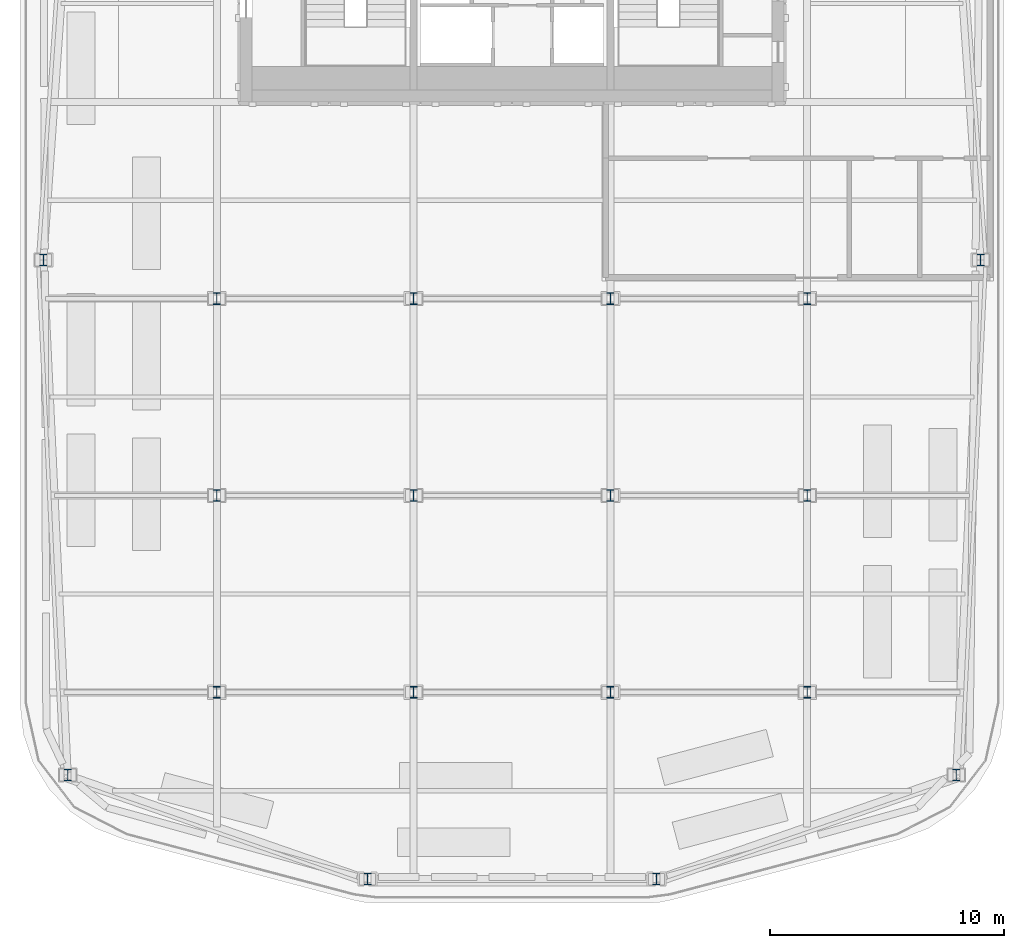
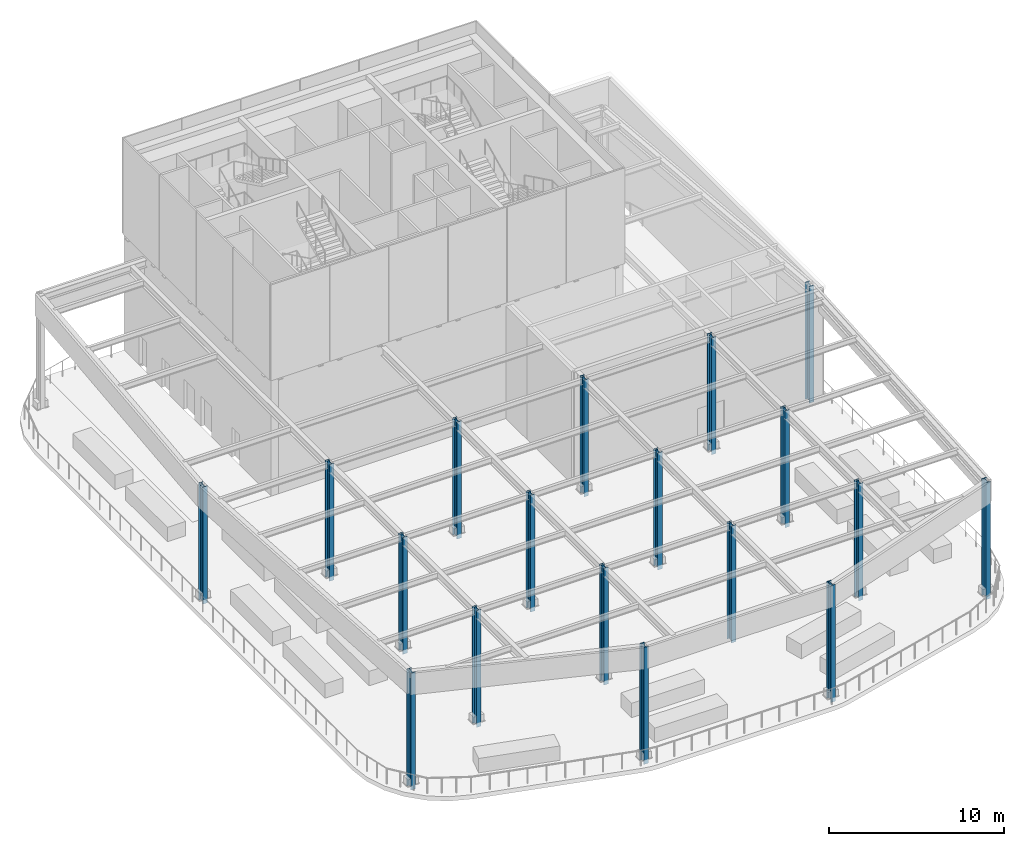
# One storey, part 1 of 14: 18 columns.
"""IFC4 building model written with IfcOpenShell, lengths in metres."""

from ifc_helpers import new_model, si_unit, direction, frame, origin, origin_2d, place, context, subcontext, project, spatial, i_section, extrude, material, material_profile, profile_set, type_object, element, save


model = new_model("IFC4")

# Units and contexts
model_context = context("Model", 3, precision=1e-05, world=origin(), true_north=direction((0.0, 1.0)))
body_context = subcontext(model_context, "Body", "Model", "MODEL_VIEW")
ifc_project = project(units=[si_unit("LENGTHUNIT", "METRE"), si_unit("AREAUNIT", "SQUARE_METRE"), si_unit("VOLUMEUNIT", "CUBIC_METRE"), si_unit("PLANEANGLEUNIT", "RADIAN"), si_unit("MASSUNIT", "GRAM", prefix="KILO")], contexts=[model_context])

# Site, building, storey
site_placement = place(None, origin())
site = spatial("IfcSite", under=ifc_project, at=site_placement, CompositionType="ELEMENT")
building_placement = place(site_placement, origin())
building = spatial("IfcBuilding", under=site, at=building_placement, Name="Marenta Gate Hotel Tower", CompositionType="ELEMENT")
storey_placement = place(building_placement, frame((0.0, 0.0, 295.699951171875)))
storey = spatial("IfcBuildingStorey", under=building, at=storey_placement, Name="L67", CompositionType="ELEMENT", Elevation=295.699951171875)

# Columns
ifc_material = material(Name="Steel S355J2W", Category="steel")
ifc_material_profile = material_profile(ifc_material, i_section(OverallWidth=0.300048828125, OverallDepth=0.5, WebThickness=0.014404296875, FlangeThickness=0.028076171875, FilletRadius=0.027099609375, at=origin_2d()), Name="HEB 500")
ifc_profile_set = profile_set([ifc_material_profile], Name="Steel S355J2W")
column_type = type_object("IfcColumnType", Name="Canopy column HEB 500", PredefinedType="COLUMN", material=ifc_profile_set)
for number, where, z_axis, x_axis, name in (
    (1, (-6.166259765625, -33.1748046875, -0.300048828125), (0.0, 0.0, 1.0), (1.0, 0.0, 0.0), "CC-HEB500 L67-CAN-CM-SKW"),
    (2, (6.166259765625, -33.1748046875, -0.300048828125), (0.0, 0.0, 1.0), (1.0, 0.0, 0.0), "CC-HEB500 L67-CAN-CM-SKE"),
    (3, (18.962890625, -28.73291015625, -0.300048828125), (0.0, 0.0, 1.0), (1.0, 0.0, 0.0), "CC-HEB500 L67-CAN-CM-SE"),
    (4, (20.0, -6.75, -0.300048828125), (0.0, 0.0, 1.0), (1.0, 0.0, 0.0), "CC-HEB500 L67-CAN-CM-E"),
    (5, (-20.0, -6.75, -0.300048828125), (0.0, 0.0, 1.0), (1.0, 0.0, 0.0), "CC-HEB500 L67-CAN-CM-W"),
    (6, (-18.962890625, -28.73291015625, -0.300048828125), (0.0, 0.0, 1.0), (1.0, 0.0, 0.0), "CC-HEB500 L67-CAN-CM-SW"),
    (7, (-12.60009765625, -25.199951171875, -0.300048828125), (0.0, 0.0, 1.0), (1.0, 0.0, 0.0), "CC-HEB500 L67-CAN-CI-5/C"),
    (8, (-12.60009765625, -16.800048828125, -0.300048828125), (0.0, 0.0, 1.0), (1.0, 0.0, 0.0), "CC-HEB500 L67-CAN-CI-5/D"),
    (9, (-12.60009765625, -8.39990234375, -0.300048828125), (0.0, 0.0, 1.0), (1.0, 0.0, 0.0), "CC-HEB500 L67-CAN-CI-5/E"),
    (10, (-4.199951171875, -25.199951171875, -0.300048828125), (0.0, 0.0, 1.0), (1.0, 0.0, 0.0), "CC-HEB500 L67-CAN-CI-6/C"),
    (11, (-4.199951171875, -16.800048828125, -0.300048828125), (0.0, 0.0, 1.0), (1.0, 0.0, 0.0), "CC-HEB500 L67-CAN-CI-6/D"),
    (12, (-4.199951171875, -8.39990234375, -0.300048828125), (0.0, 0.0, 1.0), (1.0, 0.0, 0.0), "CC-HEB500 L67-CAN-CI-6/E"),
    (13, (4.199951171875, -25.199951171875, -0.300048828125), (0.0, 0.0, 1.0), (1.0, 0.0, 0.0), "CC-HEB500 L67-CAN-CI-7/C"),
    (14, (4.199951171875, -16.800048828125, -0.300048828125), (0.0, 0.0, 1.0), (1.0, 0.0, 0.0), "CC-HEB500 L67-CAN-CI-7/D"),
    (15, (4.199951171875, -8.39990234375, -0.300048828125), (0.0, 0.0, 1.0), (1.0, 0.0, 0.0), "CC-HEB500 L67-CAN-CI-7/E"),
    (16, (12.60009765625, -25.199951171875, -0.300048828125), (0.0, 0.0, 1.0), (1.0, 0.0, 0.0), "CC-HEB500 L67-CAN-CI-8/C"),
    (17, (12.60009765625, -16.800048828125, -0.300048828125), (0.0, 0.0, 1.0), (1.0, 0.0, 0.0), "CC-HEB500 L67-CAN-CI-8/D"),
    (18, (12.60009765625, -8.39990234375, -0.300048828125), (0.0, 0.0, 1.0), (1.0, 0.0, 0.0), "CC-HEB500 L67-CAN-CI-8/E"),
):
    element("IfcColumn", number, at=place(storey_placement, frame(where, z_axis=z_axis, x_axis=x_axis)), inside=storey, type_object=column_type, Name=name, PredefinedType="COLUMN", context=body_context, shape_type="SweptSolid", body=[
        extrude(i_section(OverallWidth=0.300048828125, OverallDepth=0.5, WebThickness=0.014404296875, FlangeThickness=0.028076171875, FilletRadius=0.027099609375, at=origin_2d()), origin(), (0.0, 0.0, 1.0), 8.150146484375),
    ])

save(model, "model.ifc")
